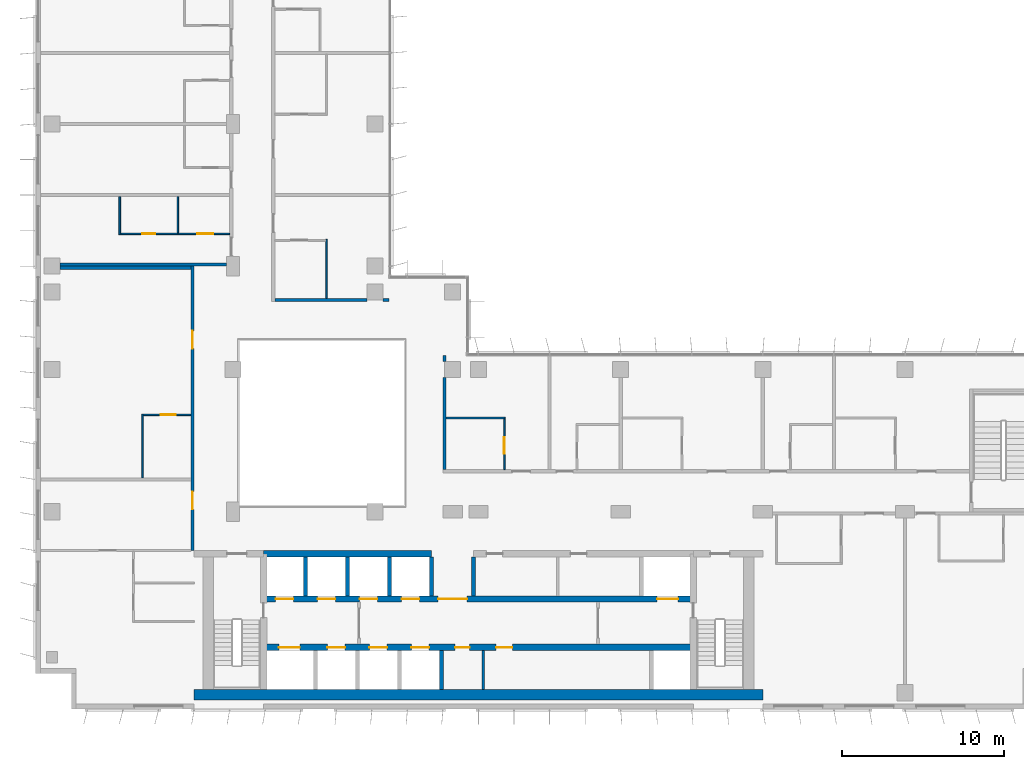
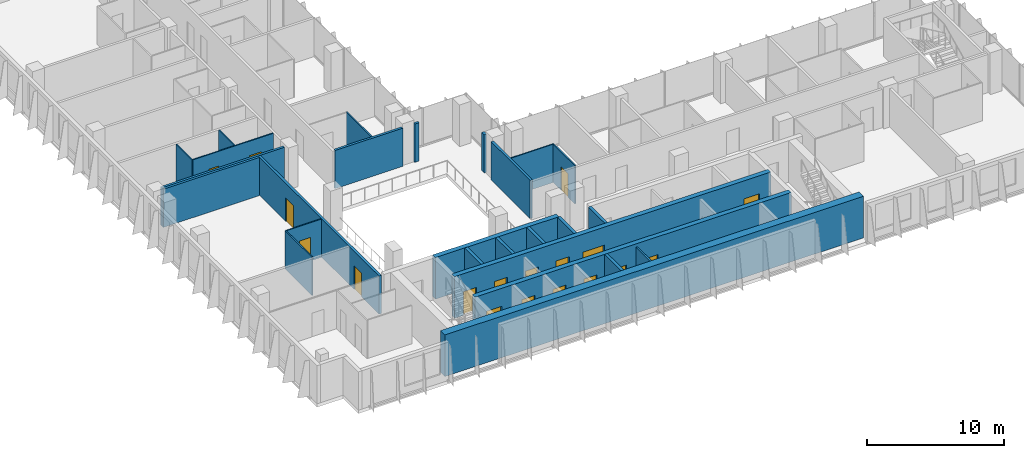
# One storey, part 13 of 21: 26 walls, 18 doors, 18 openings.
"""IFC4 building model written with IfcOpenShell, lengths in metres."""

from ifc_helpers import new_model, si_unit, direction, frame, frame_2d, origin, place, context, subcontext, project, spatial, rectangle, extrude, material, layer, layer_set, type_object, element, fill, save


model = new_model("IFC4")

# Units and contexts
model_context = context("Model", 3, precision=1e-05, world=origin(), true_north=direction((0.0, 1.0)))
body_context = subcontext(model_context, "Body", "Model", "MODEL_VIEW")
ifc_project = project(units=[si_unit("LENGTHUNIT", "METRE"), si_unit("AREAUNIT", "SQUARE_METRE"), si_unit("VOLUMEUNIT", "CUBIC_METRE"), si_unit("PLANEANGLEUNIT", "RADIAN"), si_unit("MASSUNIT", "GRAM", prefix="KILO")], contexts=[model_context])

# Site, building, storey
site_placement = place(None, origin())
site = spatial("IfcSite", under=ifc_project, at=site_placement, CompositionType="ELEMENT")
building_placement = place(site_placement, origin())
building = spatial("IfcBuilding", under=site, at=building_placement, Name="Kemantara Hotel Tower", CompositionType="ELEMENT")
storey_placement = place(building_placement, frame((0.0, 0.0, 160.5)))
storey = spatial("IfcBuildingStorey", under=building, at=storey_placement, Name="L39", CompositionType="ELEMENT", Elevation=160.5)

# Walls
ifc_material_1 = material(Name="Concrete fc 60 MPa", Category="concrete")
ifc_layer_1 = layer(ifc_material_1, 0.25)
ifc_layer_set_1 = layer_set([ifc_layer_1], Name="Concrete fc 60 MPa")
wall_type_1 = type_object("IfcWallType", Name="CORE WALL 250 FC60", PredefinedType="SHEAR", material=ifc_layer_set_1)
wall_1_placement = place(storey_placement, frame((25.10009765625, 1.199951171875, 0.0), z_axis=(0.0, 0.0, 1.0), x_axis=(0.0, 1.0, 0.0)))
element("IfcWall", 1, at=wall_1_placement, inside=storey, type_object=wall_type_1, Name="CORE WALL CW-DS25.1", PredefinedType="SHEAR", context=body_context, shape_type="SweptSolid", body=[
    extrude(rectangle(XDim=2.400146484375, YDim=0.25, at=frame_2d((1.2001953125, 0.0))), origin(), (0.0, 0.0, 1.0), 3.699951171875),
])
for number, where, z_axis, x_axis, name in (
    (2, (16.699951171875, 7.0, 0.0), (0.0, 0.0, 1.0), (0.0, 1.0, 0.0), "CORE WALL CW-DN16.7"),
    (3, (19.300048828125, 7.0, 0.0), (0.0, 0.0, 1.0), (0.0, 1.0, 0.0), "CORE WALL CW-DN19.3"),
    (4, (21.89990234375, 7.0, 0.0), (0.0, 0.0, 1.0), (0.0, 1.0, 0.0), "CORE WALL CW-DN21.9"),
    (5, (24.5, 7.0, 0.0), (0.0, 0.0, 1.0), (0.0, 1.0, 0.0), "CORE WALL CW-DN24.5"),
    (6, (27.10009765625, 7.0, 0.0), (0.0, 0.0, 1.0), (0.0, 1.0, 0.0), "CORE WALL CW-DN27.1"),
):
    element("IfcWall", number, at=place(storey_placement, frame(where, z_axis=z_axis, x_axis=x_axis)), inside=storey, type_object=wall_type_1, Name=name, PredefinedType="SHEAR", context=body_context, shape_type="SweptSolid", body=[
        extrude(rectangle(XDim=2.39990234375, YDim=0.25, at=frame_2d((1.199951171875, 0.0))), origin(), (0.0, 0.0, 1.0), 3.699951171875),
    ])
ifc_layer_2 = layer(ifc_material_1, 0.39990234375)
ifc_layer_set_2 = layer_set([ifc_layer_2], Name="Concrete fc 60 MPa")
wall_type_2 = type_object("IfcWallType", Name="CORE WALL 400 FC60", PredefinedType="SHEAR", material=ifc_layer_set_2)
wall_2_placement = place(storey_placement, frame((14.10009765625, 9.60009765625, 0.0), z_axis=(0.0, 0.0, 1.0), x_axis=(1.0, 0.0, 0.0)))
element("IfcWall", 7, at=wall_2_placement, inside=storey, type_object=wall_type_2, Name="CORE WALL CW-NN1", PredefinedType="SHEAR", context=body_context, shape_type="SweptSolid", body=[
    extrude(rectangle(XDim=10.39990234375, YDim=0.39990234375, at=frame_2d((5.199951171875, 0.0))), origin(), (0.0, 0.0, 1.0), 3.699951171875),
])

# Wall, openings, doors
wall_3_placement = place(storey_placement, frame((14.10009765625, 3.800048828125, 0.0), z_axis=(0.0, 0.0, 1.0), x_axis=(1.0, 0.0, 0.0)))
wall_3 = element("IfcWall", 8, at=wall_3_placement, inside=storey, type_object=wall_type_2, Name="CORE WALL CW-L1", PredefinedType="SHEAR", context=body_context, shape_type="SweptSolid", body=[
    extrude(rectangle(XDim=26.599853515625, YDim=0.39990234375, at=frame_2d((13.2998046875, 0.0))), origin(), (0.0, 0.0, 1.0), 3.699951171875),
])
opening_1_placement = place(wall_3_placement, frame((0.949951171875, 0.0, 0.0)))
opening_1 = element("IfcOpeningElement", 9, at=opening_1_placement, cuts=wall_3, Name="Opening C25-LD-FF1", PredefinedType="OPENING", context=body_context, shape_type="SweptSolid", body=[
    extrude(rectangle(XDim=1.300048828125, YDim=2.10009765625, at=frame_2d((0.64990234375, 1.050048828125))), frame((0.0, 0.2099609375, 0.0), z_axis=(0.0, -1.0, 0.0), x_axis=(1.0, 0.0, 0.0)), (0.0, 0.0, 1.0), 0.419921875),
])
opening_2_placement = place(wall_3_placement, frame((3.949951171875, 0.0, 0.0)))
opening_2 = element("IfcOpeningElement", 10, at=opening_2_placement, cuts=wall_3, Name="Opening C25-LD-SV1", PredefinedType="OPENING", context=body_context, shape_type="SweptSolid", body=[
    extrude(rectangle(XDim=1.10009765625, YDim=2.10009765625, at=frame_2d((0.550048828125, 1.050048828125))), frame((0.0, 0.2099609375, 0.0), z_axis=(0.0, -1.0, 0.0), x_axis=(1.0, 0.0, 0.0)), (0.0, 0.0, 1.0), 0.419921875),
])
opening_3_placement = place(wall_3_placement, frame((6.550048828125, 0.0, 0.0)))
opening_3 = element("IfcOpeningElement", 11, at=opening_3_placement, cuts=wall_3, Name="Opening C25-LD-SV2", PredefinedType="OPENING", context=body_context, shape_type="SweptSolid", body=[
    extrude(rectangle(XDim=1.10009765625, YDim=2.10009765625, at=frame_2d((0.550048828125, 1.050048828125))), frame((0.0, 0.2099609375, 0.0), z_axis=(0.0, -1.0, 0.0), x_axis=(1.0, 0.0, 0.0)), (0.0, 0.0, 1.0), 0.419921875),
])
opening_4_placement = place(wall_3_placement, frame((9.14990234375, 0.0, 0.0)))
opening_4 = element("IfcOpeningElement", 12, at=opening_4_placement, cuts=wall_3, Name="Opening C25-LD-SV3", PredefinedType="OPENING", context=body_context, shape_type="SweptSolid", body=[
    extrude(rectangle(XDim=1.10009765625, YDim=2.10009765625, at=frame_2d((0.550048828125, 1.050048828125))), frame((0.0, 0.2099609375, 0.0), z_axis=(0.0, -1.0, 0.0), x_axis=(1.0, 0.0, 0.0)), (0.0, 0.0, 1.0), 0.419921875),
])
opening_5_placement = place(wall_3_placement, frame((11.85009765625, 0.0, 0.0)))
opening_5 = element("IfcOpeningElement", 13, at=opening_5_placement, cuts=wall_3, Name="Opening C25-R-SM1", PredefinedType="OPENING", context=body_context, shape_type="SweptSolid", body=[
    extrude(rectangle(XDim=0.89990234375, YDim=2.10009765625, at=frame_2d((0.449951171875, 1.050048828125))), frame((0.0, 0.2099609375, 0.0), z_axis=(0.0, -1.0, 0.0), x_axis=(1.0, 0.0, 0.0)), (0.0, 0.0, 1.0), 0.419921875),
])
opening_6_placement = place(wall_3_placement, frame((14.39990234375, 0.0, 0.0)))
opening_6 = element("IfcOpeningElement", 14, at=opening_6_placement, cuts=wall_3, Name="Opening C25-R-SM2", PredefinedType="OPENING", context=body_context, shape_type="SweptSolid", body=[
    extrude(rectangle(XDim=1.0, YDim=2.10009765625, at=frame_2d((0.5, 1.050048828125))), frame((0.0, 0.2099609375, 0.0), z_axis=(0.0, -1.0, 0.0), x_axis=(1.0, 0.0, 0.0)), (0.0, 0.0, 1.0), 0.419921875),
])
ifc_material_2 = material(Name="Steel fire door", Category="steel")
door_type_1 = type_object("IfcDoorType", Name="Fire door FD30S 1000 x 2100", OperationType="NOTDEFINED", PredefinedType="DOOR", material=ifc_material_2)
door_1_placement = place(opening_6_placement, frame((1.0, 0.0, 0.0), z_axis=(0.0, 0.0, 1.0), x_axis=(-1.0, 0.0, 0.0)))
door_1 = element("IfcDoor", 15, at=door_1_placement, inside=storey, type_object=door_type_1, Name="Guest Pantry door", OperationType="SINGLE_SWING_LEFT", OverallHeight=2.10009765625, OverallWidth=1.0, PredefinedType="DOOR", context=body_context, shape_type="SweptSolid", body=[
    extrude(rectangle(XDim=1.0, YDim=2.10009765625, at=frame_2d((0.5, 1.050048828125))), frame((0.0, 0.02490234375, 0.0), z_axis=(0.0, -1.0, 0.0), x_axis=(1.0, 0.0, 0.0)), (0.0, 0.0, 1.0), 0.050048828125),
])
fill(opening_6, door_1)
door_type_2 = type_object("IfcDoorType", Name="Fire door FD60 900 x 2100", OperationType="NOTDEFINED", PredefinedType="DOOR", material=ifc_material_2)
door_2_placement = place(opening_5_placement, frame((0.89990234375, 0.0, 0.0), z_axis=(0.0, 0.0, 1.0), x_axis=(-1.0, 0.0, 0.0)))
door_2 = element("IfcDoor", 16, at=door_2_placement, inside=storey, type_object=door_type_2, Name="Electrical Riser Room door", OperationType="SINGLE_SWING_RIGHT", OverallHeight=2.10009765625, OverallWidth=0.89990234375, PredefinedType="DOOR", context=body_context, shape_type="SweptSolid", body=[
    extrude(rectangle(XDim=0.89990234375, YDim=2.10009765625, at=frame_2d((0.449951171875, 1.050048828125))), frame((0.0, 0.02490234375, 0.0), z_axis=(0.0, -1.0, 0.0), x_axis=(1.0, 0.0, 0.0)), (0.0, 0.0, 1.0), 0.050048828125),
])
fill(opening_5, door_2)
ifc_material_3 = material(Name="Stainless steel lift door", Category="steel")
door_type_3 = type_object("IfcDoorType", Name="Lift landing door 1100 x 2100 FD60", OperationType="DOUBLE_DOOR_SLIDING", PredefinedType="DOOR", material=ifc_material_3)
door_3_placement = place(opening_2_placement, origin())
door_3 = element("IfcDoor", 17, at=door_3_placement, inside=storey, type_object=door_type_3, Name="Lift SV1 landing door", OperationType="DOUBLE_DOOR_SLIDING", OverallHeight=2.10009765625, OverallWidth=1.10009765625, PredefinedType="DOOR", context=body_context, shape_type="SweptSolid", body=[
    extrude(rectangle(XDim=1.10009765625, YDim=2.10009765625, at=frame_2d((0.550048828125, 1.050048828125))), frame((0.0, 0.02490234375, 0.0), z_axis=(0.0, -1.0, 0.0), x_axis=(1.0, 0.0, 0.0)), (0.0, 0.0, 1.0), 0.050048828125),
])
fill(opening_2, door_3)
door_4_placement = place(opening_3_placement, origin())
door_4 = element("IfcDoor", 18, at=door_4_placement, inside=storey, type_object=door_type_3, Name="Lift SV2 landing door", OperationType="DOUBLE_DOOR_SLIDING", OverallHeight=2.10009765625, OverallWidth=1.10009765625, PredefinedType="DOOR", context=body_context, shape_type="SweptSolid", body=[
    extrude(rectangle(XDim=1.10009765625, YDim=2.10009765625, at=frame_2d((0.550048828125, 1.050048828125))), frame((0.0, 0.02490234375, 0.0), z_axis=(0.0, -1.0, 0.0), x_axis=(1.0, 0.0, 0.0)), (0.0, 0.0, 1.0), 0.050048828125),
])
fill(opening_3, door_4)
door_5_placement = place(opening_4_placement, origin())
door_5 = element("IfcDoor", 19, at=door_5_placement, inside=storey, type_object=door_type_3, Name="Lift SV3 landing door", OperationType="DOUBLE_DOOR_SLIDING", OverallHeight=2.10009765625, OverallWidth=1.10009765625, PredefinedType="DOOR", context=body_context, shape_type="SweptSolid", body=[
    extrude(rectangle(XDim=1.10009765625, YDim=2.10009765625, at=frame_2d((0.550048828125, 1.050048828125))), frame((0.0, 0.02490234375, 0.0), z_axis=(0.0, -1.0, 0.0), x_axis=(1.0, 0.0, 0.0)), (0.0, 0.0, 1.0), 0.050048828125),
])
fill(opening_4, door_5)
door_type_4 = type_object("IfcDoorType", Name="Lift landing door 1300 x 2100 FD90", OperationType="DOUBLE_DOOR_SLIDING", PredefinedType="DOOR", material=ifc_material_3)
door_6_placement = place(opening_1_placement, origin())
door_6 = element("IfcDoor", 20, at=door_6_placement, inside=storey, type_object=door_type_4, Name="Lift FF1 landing door", OperationType="DOUBLE_DOOR_SLIDING", OverallHeight=2.10009765625, OverallWidth=1.300048828125, PredefinedType="DOOR", context=body_context, shape_type="SweptSolid", body=[
    extrude(rectangle(XDim=1.300048828125, YDim=2.10009765625, at=frame_2d((0.64990234375, 1.050048828125))), frame((0.0, 0.02490234375, 0.0), z_axis=(0.0, -1.0, 0.0), x_axis=(1.0, 0.0, 0.0)), (0.0, 0.0, 1.0), 0.050048828125),
])
fill(opening_1, door_6)

wall_4_placement = place(storey_placement, frame((14.10009765625, 6.800048828125, 0.0), z_axis=(0.0, 0.0, 1.0), x_axis=(1.0, 0.0, 0.0)))
wall_4 = element("IfcWall", 21, at=wall_4_placement, inside=storey, type_object=wall_type_2, Name="CORE WALL CW-L2", PredefinedType="SHEAR", context=body_context, shape_type="SweptSolid", body=[
    extrude(rectangle(XDim=26.599853515625, YDim=0.39990234375, at=frame_2d((13.2998046875, 0.0))), origin(), (0.0, 0.0, 1.0), 3.699951171875),
])
opening_7_placement = place(wall_4_placement, frame((10.800048828125, 0.0, 0.0)))
opening_7 = element("IfcOpeningElement", 22, at=opening_7_placement, cuts=wall_4, Name="Opening C25-VL", PredefinedType="OPENING", context=body_context, shape_type="SweptSolid", body=[
    extrude(rectangle(XDim=1.800048828125, YDim=2.10009765625, at=frame_2d((0.89990234375, 1.050048828125))), frame((0.0, 0.2099609375, 0.0), z_axis=(0.0, -1.0, 0.0), x_axis=(1.0, 0.0, 0.0)), (0.0, 0.0, 1.0), 0.419921875),
])
opening_8_placement = place(wall_4_placement, frame((0.75, 0.0, 0.0)))
opening_8 = element("IfcOpeningElement", 23, at=opening_8_placement, cuts=wall_4, Name="Opening C25-LD-MR1", PredefinedType="OPENING", context=body_context, shape_type="SweptSolid", body=[
    extrude(rectangle(XDim=1.10009765625, YDim=2.10009765625, at=frame_2d((0.550048828125, 1.050048828125))), frame((0.0, 0.2099609375, 0.0), z_axis=(0.0, -1.0, 0.0), x_axis=(1.0, 0.0, 0.0)), (0.0, 0.0, 1.0), 0.419921875),
])
opening_9_placement = place(wall_4_placement, frame((3.35009765625, 0.0, 0.0)))
opening_9 = element("IfcOpeningElement", 24, at=opening_9_placement, cuts=wall_4, Name="Opening C25-LD-MR2", PredefinedType="OPENING", context=body_context, shape_type="SweptSolid", body=[
    extrude(rectangle(XDim=1.10009765625, YDim=2.10009765625, at=frame_2d((0.550048828125, 1.050048828125))), frame((0.0, 0.2099609375, 0.0), z_axis=(0.0, -1.0, 0.0), x_axis=(1.0, 0.0, 0.0)), (0.0, 0.0, 1.0), 0.419921875),
])
opening_10_placement = place(wall_4_placement, frame((5.949951171875, 0.0, 0.0)))
opening_10 = element("IfcOpeningElement", 25, at=opening_10_placement, cuts=wall_4, Name="Opening C25-LD-MR3", PredefinedType="OPENING", context=body_context, shape_type="SweptSolid", body=[
    extrude(rectangle(XDim=1.10009765625, YDim=2.10009765625, at=frame_2d((0.550048828125, 1.050048828125))), frame((0.0, 0.2099609375, 0.0), z_axis=(0.0, -1.0, 0.0), x_axis=(1.0, 0.0, 0.0)), (0.0, 0.0, 1.0), 0.419921875),
])
opening_11_placement = place(wall_4_placement, frame((8.550048828125, 0.0, 0.0)))
opening_11 = element("IfcOpeningElement", 26, at=opening_11_placement, cuts=wall_4, Name="Opening C25-LD-MR4", PredefinedType="OPENING", context=body_context, shape_type="SweptSolid", body=[
    extrude(rectangle(XDim=1.10009765625, YDim=2.10009765625, at=frame_2d((0.550048828125, 1.050048828125))), frame((0.0, 0.2099609375, 0.0), z_axis=(0.0, -1.0, 0.0), x_axis=(1.0, 0.0, 0.0)), (0.0, 0.0, 1.0), 0.419921875),
])
opening_12_placement = place(wall_4_placement, frame((24.35009765625, 0.0, 0.0)))
opening_12 = element("IfcOpeningElement", 27, at=opening_12_placement, cuts=wall_4, Name="Opening C25-LD-FF2", PredefinedType="OPENING", context=body_context, shape_type="SweptSolid", body=[
    extrude(rectangle(XDim=1.300048828125, YDim=2.10009765625, at=frame_2d((0.64990234375, 1.050048828125))), frame((0.0, 0.2099609375, 0.0), z_axis=(0.0, -1.0, 0.0), x_axis=(1.0, 0.0, 0.0)), (0.0, 0.0, 1.0), 0.419921875),
])
door_type_5 = type_object("IfcDoorType", Name="Fire door pair FD60 1800 x 2100", OperationType="DOUBLE_DOOR_SINGLE_SWING", PredefinedType="DOOR", material=ifc_material_2)
door_7_placement = place(opening_7_placement, frame((1.800048828125, 0.0, 0.0), z_axis=(0.0, 0.0, 1.0), x_axis=(-1.0, 0.0, 0.0)))
door_7 = element("IfcDoor", 28, at=door_7_placement, inside=storey, type_object=door_type_5, Name="Lift lobby entry door", OperationType="DOUBLE_DOOR_SINGLE_SWING", OverallHeight=2.10009765625, OverallWidth=1.800048828125, PredefinedType="DOOR", context=body_context, shape_type="SweptSolid", body=[
    extrude(rectangle(XDim=1.800048828125, YDim=2.10009765625, at=frame_2d((0.89990234375, 1.050048828125))), frame((0.0, 0.02490234375, 0.0), z_axis=(0.0, -1.0, 0.0), x_axis=(1.0, 0.0, 0.0)), (0.0, 0.0, 1.0), 0.050048828125),
])
fill(opening_7, door_7)
door_8_placement = place(opening_8_placement, origin())
door_8 = element("IfcDoor", 29, at=door_8_placement, inside=storey, type_object=door_type_3, Name="Lift MR1 landing door", OperationType="DOUBLE_DOOR_SLIDING", OverallHeight=2.10009765625, OverallWidth=1.10009765625, PredefinedType="DOOR", context=body_context, shape_type="SweptSolid", body=[
    extrude(rectangle(XDim=1.10009765625, YDim=2.10009765625, at=frame_2d((0.550048828125, 1.050048828125))), frame((0.0, 0.02490234375, 0.0), z_axis=(0.0, -1.0, 0.0), x_axis=(1.0, 0.0, 0.0)), (0.0, 0.0, 1.0), 0.050048828125),
])
fill(opening_8, door_8)
door_9_placement = place(opening_9_placement, origin())
door_9 = element("IfcDoor", 30, at=door_9_placement, inside=storey, type_object=door_type_3, Name="Lift MR2 landing door", OperationType="DOUBLE_DOOR_SLIDING", OverallHeight=2.10009765625, OverallWidth=1.10009765625, PredefinedType="DOOR", context=body_context, shape_type="SweptSolid", body=[
    extrude(rectangle(XDim=1.10009765625, YDim=2.10009765625, at=frame_2d((0.550048828125, 1.050048828125))), frame((0.0, 0.02490234375, 0.0), z_axis=(0.0, -1.0, 0.0), x_axis=(1.0, 0.0, 0.0)), (0.0, 0.0, 1.0), 0.050048828125),
])
fill(opening_9, door_9)
door_10_placement = place(opening_10_placement, origin())
door_10 = element("IfcDoor", 31, at=door_10_placement, inside=storey, type_object=door_type_3, Name="Lift MR3 landing door", OperationType="DOUBLE_DOOR_SLIDING", OverallHeight=2.10009765625, OverallWidth=1.10009765625, PredefinedType="DOOR", context=body_context, shape_type="SweptSolid", body=[
    extrude(rectangle(XDim=1.10009765625, YDim=2.10009765625, at=frame_2d((0.550048828125, 1.050048828125))), frame((0.0, 0.02490234375, 0.0), z_axis=(0.0, -1.0, 0.0), x_axis=(1.0, 0.0, 0.0)), (0.0, 0.0, 1.0), 0.050048828125),
])
fill(opening_10, door_10)
door_11_placement = place(opening_11_placement, origin())
door_11 = element("IfcDoor", 32, at=door_11_placement, inside=storey, type_object=door_type_3, Name="Lift MR4 landing door", OperationType="DOUBLE_DOOR_SLIDING", OverallHeight=2.10009765625, OverallWidth=1.10009765625, PredefinedType="DOOR", context=body_context, shape_type="SweptSolid", body=[
    extrude(rectangle(XDim=1.10009765625, YDim=2.10009765625, at=frame_2d((0.550048828125, 1.050048828125))), frame((0.0, 0.02490234375, 0.0), z_axis=(0.0, -1.0, 0.0), x_axis=(1.0, 0.0, 0.0)), (0.0, 0.0, 1.0), 0.050048828125),
])
fill(opening_11, door_11)
door_12_placement = place(opening_12_placement, origin())
door_12 = element("IfcDoor", 33, at=door_12_placement, inside=storey, type_object=door_type_4, Name="Lift FF2 landing door", OperationType="DOUBLE_DOOR_SLIDING", OverallHeight=2.10009765625, OverallWidth=1.300048828125, PredefinedType="DOOR", context=body_context, shape_type="SweptSolid", body=[
    extrude(rectangle(XDim=1.300048828125, YDim=2.10009765625, at=frame_2d((0.64990234375, 1.050048828125))), frame((0.0, 0.02490234375, 0.0), z_axis=(0.0, -1.0, 0.0), x_axis=(1.0, 0.0, 0.0)), (0.0, 0.0, 1.0), 0.050048828125),
])
fill(opening_12, door_12)

# Wall
ifc_layer_3 = layer(ifc_material_1, 0.64990234375)
ifc_layer_set_3 = layer_set([ifc_layer_3], Name="Concrete fc 60 MPa")
wall_type_3 = type_object("IfcWallType", Name="CORE WALL 650 FC60", PredefinedType="SHEAR", material=ifc_layer_set_3)
wall_5_placement = place(storey_placement, frame((9.800048828125, 0.875, 0.0), z_axis=(0.0, 0.0, 1.0), x_axis=(1.0, 0.0, 0.0)))
element("IfcWall", 34, at=wall_5_placement, inside=storey, type_object=wall_type_3, Name="CORE WALL CW-S", PredefinedType="SHEAR", context=body_context, shape_type="SweptSolid", body=[
    extrude(rectangle(XDim=35.199951171875, YDim=0.64990234375, at=frame_2d((17.60009765625, 0.0))), origin(), (0.0, 0.0, 1.0), 3.699951171875),
])

# Wall, openings, doors
ifc_material_4 = material(Name="Gypsum board partition, steel studs and mineral wool, 200 mm", Category="steel")
ifc_layer_4 = layer(ifc_material_4, 0.199951171875)
ifc_layer_set_4 = layer_set([ifc_layer_4], Name="Gypsum board partition, steel studs and mineral wool, 200 mm")
wall_type_4 = type_object("IfcWallType", Name="CORRIDOR WALL 200", PredefinedType="PARTITIONING", material=ifc_layer_set_4)
wall_6_placement = place(storey_placement, frame((9.699951171875, 9.800048828125, 0.0), z_axis=(0.0, 0.0, 1.0), x_axis=(0.0, 1.0, 0.0)))
wall_6 = element("IfcWall", 35, at=wall_6_placement, inside=storey, type_object=wall_type_4, Name="CORRIDOR WALL 200 012", PredefinedType="PARTITIONING", context=body_context, shape_type="SweptSolid", body=[
    extrude(rectangle(XDim=17.599853515625, YDim=0.199951171875, at=frame_2d((8.7998046875, 0.0))), origin(), (0.0, 0.0, 1.0), 3.39990234375),
])
opening_13_placement = place(wall_6_placement, frame((2.550048828125, 0.0, 0.0)))
opening_13 = element("IfcOpeningElement", 36, at=opening_13_placement, cuts=wall_6, Name="Opening F18-015", PredefinedType="OPENING", context=body_context, shape_type="SweptSolid", body=[
    extrude(rectangle(XDim=1.10009765625, YDim=2.10009765625, at=frame_2d((0.550048828125, 1.050048828125))), frame((0.0, 0.10986328125, 0.0), z_axis=(0.0, -1.0, 0.0), x_axis=(1.0, 0.0, 0.0)), (0.0, 0.0, 1.0), 0.219970703125),
])
opening_14_placement = place(wall_6_placement, frame((12.5, 0.0, 0.0)))
opening_14 = element("IfcOpeningElement", 37, at=opening_14_placement, cuts=wall_6, Name="Opening F18-019", PredefinedType="OPENING", context=body_context, shape_type="SweptSolid", body=[
    extrude(rectangle(XDim=1.10009765625, YDim=2.10009765625, at=frame_2d((0.550048828125, 1.050048828125))), frame((0.0, 0.10986328125, 0.0), z_axis=(0.0, -1.0, 0.0), x_axis=(1.0, 0.0, 0.0)), (0.0, 0.0, 1.0), 0.219970703125),
])
ifc_material_5 = material(Name="Hardwood veneer door leaf with steel frame", Category="steel")
door_type_6 = type_object("IfcDoorType", Name="SUITE ENTRANCE DOOR 1100 X 2100 FD30S", OperationType="NOTDEFINED", PredefinedType="DOOR", material=ifc_material_5)
door_13_placement = place(opening_13_placement, origin())
door_13 = element("IfcDoor", 38, at=door_13_placement, inside=storey, type_object=door_type_6, Name="SUITE ENTRANCE DOOR F18-015", OperationType="SINGLE_SWING_RIGHT", OverallHeight=2.10009765625, OverallWidth=1.10009765625, PredefinedType="DOOR", context=body_context, shape_type="SweptSolid", body=[
    extrude(rectangle(XDim=1.10009765625, YDim=2.10009765625, at=frame_2d((0.550048828125, 1.050048828125))), frame((0.0, 0.02490234375, 0.0), z_axis=(0.0, -1.0, 0.0), x_axis=(1.0, 0.0, 0.0)), (0.0, 0.0, 1.0), 0.050048828125),
])
fill(opening_13, door_13)
door_14_placement = place(opening_14_placement, origin())
door_14 = element("IfcDoor", 39, at=door_14_placement, inside=storey, type_object=door_type_6, Name="SUITE ENTRANCE DOOR F18-019", OperationType="SINGLE_SWING_RIGHT", OverallHeight=2.10009765625, OverallWidth=1.10009765625, PredefinedType="DOOR", context=body_context, shape_type="SweptSolid", body=[
    extrude(rectangle(XDim=1.10009765625, YDim=2.10009765625, at=frame_2d((0.550048828125, 1.050048828125))), frame((0.0, 0.02490234375, 0.0), z_axis=(0.0, -1.0, 0.0), x_axis=(1.0, 0.0, 0.0)), (0.0, 0.0, 1.0), 0.050048828125),
])
fill(opening_14, door_14)

# Walls
ifc_layer_5 = layer(ifc_material_4, 0.199951171875)
ifc_layer_set_5 = layer_set([ifc_layer_5], Name="Gypsum board partition, steel studs and mineral wool, 200 mm")
wall_type_5 = type_object("IfcWallType", Name="GUEST ROOM PARTY WALL 200", PredefinedType="PARTITIONING", material=ifc_layer_set_5)
wall_7_placement = place(storey_placement, frame((25.300048828125, 14.800048828125, 0.0), z_axis=(0.0, 0.0, 1.0), x_axis=(0.0, 1.0, 0.0)))
element("IfcWall", 40, at=wall_7_placement, inside=storey, type_object=wall_type_5, Name="GUEST ROOM PARTY WALL 200 006", PredefinedType="PARTITIONING", context=body_context, shape_type="SweptSolid", body=[
    extrude(rectangle(XDim=5.699951171875, YDim=0.199951171875, at=frame_2d((2.85009765625, 0.0))), origin(), (0.0, 0.0, 1.0), 3.39990234375),
])
wall_8_placement = place(storey_placement, frame((25.300048828125, 21.5, 0.0), z_axis=(0.0, 0.0, 1.0), x_axis=(0.0, 1.0, 0.0)))
element("IfcWall", 41, at=wall_8_placement, inside=storey, type_object=wall_type_5, Name="GUEST ROOM PARTY WALL 200 007", PredefinedType="PARTITIONING", context=body_context, shape_type="SweptSolid", body=[
    extrude(rectangle(XDim=0.3701171875, YDim=0.199951171875, at=frame_2d((0.18505859375, 0.0))), origin(), (0.0, 0.0, 1.0), 3.39990234375),
])
wall_9_placement = place(storey_placement, frame((1.5, 27.300048828125, 0.0), z_axis=(0.0, 0.0, 1.0), x_axis=(1.0, 0.0, 0.0)))
element("IfcWall", 42, at=wall_9_placement, inside=storey, type_object=wall_type_5, Name="GUEST ROOM PARTY WALL 200 014", PredefinedType="PARTITIONING", context=body_context, shape_type="SweptSolid", body=[
    extrude(rectangle(XDim=8.10009765625, YDim=0.199951171875, at=frame_2d((4.050048828125, 0.0))), origin(), (0.0, 0.0, 1.0), 3.39990234375),
])
wall_10_placement = place(storey_placement, frame((1.5, 27.5, 0.0), z_axis=(0.0, 0.0, 1.0), x_axis=(1.0, 0.0, 0.0)))
element("IfcWall", 43, at=wall_10_placement, inside=storey, type_object=wall_type_5, Name="GUEST ROOM PARTY WALL 200 019", PredefinedType="PARTITIONING", context=body_context, shape_type="SweptSolid", body=[
    extrude(rectangle(XDim=10.2998046875, YDim=0.199951171875, at=frame_2d((5.14990234375, 0.0))), origin(), (0.0, 0.0, 1.0), 3.39990234375),
])
wall_11_placement = place(storey_placement, frame((14.800048828125, 25.300048828125, 0.0), z_axis=(0.0, 0.0, 1.0), x_axis=(1.0, 0.0, 0.0)))
element("IfcWall", 44, at=wall_11_placement, inside=storey, type_object=wall_type_5, Name="GUEST ROOM PARTY WALL 200 028", PredefinedType="PARTITIONING", context=body_context, shape_type="SweptSolid", body=[
    extrude(rectangle(XDim=5.699951171875, YDim=0.199951171875, at=frame_2d((2.85009765625, 0.0))), origin(), (0.0, 0.0, 1.0), 3.39990234375),
])
wall_12_placement = place(storey_placement, frame((21.5, 25.300048828125, 0.0), z_axis=(0.0, 0.0, 1.0), x_axis=(1.0, 0.0, 0.0)))
element("IfcWall", 45, at=wall_12_placement, inside=storey, type_object=wall_type_5, Name="GUEST ROOM PARTY WALL 200 029", PredefinedType="PARTITIONING", context=body_context, shape_type="SweptSolid", body=[
    extrude(rectangle(XDim=0.3701171875, YDim=0.199951171875, at=frame_2d((0.18505859375, 0.0))), origin(), (0.0, 0.0, 1.0), 3.39990234375),
])
ifc_material_6 = material(Name="Gypsum board partition")
ifc_layer_6 = layer(ifc_material_6, 0.14990234375)
ifc_layer_set_6 = layer_set([ifc_layer_6], Name="Gypsum board partition")
wall_type_6 = type_object("IfcWallType", Name="Gypsum board partition 150 mm", PredefinedType="PARTITIONING", material=ifc_layer_set_6)
wall_13_placement = place(storey_placement, frame((27.699951171875, 1.199951171875, 0.0), z_axis=(0.0, 0.0, 1.0), x_axis=(0.0, 1.0, 0.0)))
element("IfcWall", 46, at=wall_13_placement, inside=storey, type_object=wall_type_6, Name="Core room partition", PredefinedType="PARTITIONING", context=body_context, shape_type="SweptSolid", body=[
    extrude(rectangle(XDim=2.400146484375, YDim=0.14990234375, at=frame_2d((1.2001953125, 0.0))), origin(), (0.0, 0.0, 1.0), 3.39990234375),
])
ifc_material_7 = material(Name="Gypsum board partition on steel studs, 100 mm", Category="steel")
ifc_layer_7 = layer(ifc_material_7, 0.10009765625)
ifc_layer_set_7 = layer_set([ifc_layer_7], Name="Gypsum board partition on steel studs, 100 mm")
wall_type_7 = type_object("IfcWallType", Name="ROOM PARTITION 100", PredefinedType="PARTITIONING", material=ifc_layer_set_7)
wall_14_placement = place(storey_placement, frame((25.39990234375, 18.0, 0.0), z_axis=(0.0, 0.0, 1.0), x_axis=(1.0, 0.0, 0.0)))
element("IfcWall", 47, at=wall_14_placement, inside=storey, type_object=wall_type_7, Name="ROOM PARTITION 100 038", PredefinedType="PARTITIONING", context=body_context, shape_type="SweptSolid", body=[
    extrude(rectangle(XDim=3.650146484375, YDim=0.10009765625, at=frame_2d((1.8251953125, 0.0))), origin(), (0.0, 0.0, 1.0), 3.39990234375),
])

# Wall, opening, door
wall_15_placement = place(storey_placement, frame((29.0, 14.800048828125, 0.0), z_axis=(0.0, 0.0, 1.0), x_axis=(0.0, 1.0, 0.0)))
wall_15 = element("IfcWall", 48, at=wall_15_placement, inside=storey, type_object=wall_type_7, Name="ROOM PARTITION 100 041", PredefinedType="PARTITIONING", context=body_context, shape_type="SweptSolid", body=[
    extrude(rectangle(XDim=3.14990234375, YDim=0.10009765625, at=frame_2d((1.574951171875, 0.0))), origin(), (0.0, 0.0, 1.0), 3.39990234375),
])
opening_15_placement = place(wall_15_placement, frame((1.0, 0.0, 0.0)))
opening_15 = element("IfcOpeningElement", 49, at=opening_15_placement, cuts=wall_15, Name="Opening F18-006", PredefinedType="OPENING", context=body_context, shape_type="SweptSolid", body=[
    extrude(rectangle(XDim=1.0, YDim=2.10009765625, at=frame_2d((0.5, 1.050048828125))), frame((0.0, 0.06005859375, 0.0), z_axis=(0.0, -1.0, 0.0), x_axis=(1.0, 0.0, 0.0)), (0.0, 0.0, 1.0), 0.1201171875),
])
door_type_7 = type_object("IfcDoorType", Name="BATHROOM DOOR 1000 X 2100", OperationType="NOTDEFINED", PredefinedType="DOOR", material=ifc_material_5)
door_15_placement = place(opening_15_placement, origin())
door_15 = element("IfcDoor", 50, at=door_15_placement, inside=storey, type_object=door_type_7, Name="BATHROOM DOOR F18-006", OperationType="SINGLE_SWING_LEFT", OverallHeight=2.10009765625, OverallWidth=1.0, PredefinedType="DOOR", context=body_context, shape_type="SweptSolid", body=[
    extrude(rectangle(XDim=1.0, YDim=2.10009765625, at=frame_2d((0.5, 1.050048828125))), frame((0.0, 0.02490234375, 0.0), z_axis=(0.0, -1.0, 0.0), x_axis=(1.0, 0.0, 0.0)), (0.0, 0.0, 1.0), 0.050048828125),
])
fill(opening_15, door_15)

# Wall
wall_16_placement = place(storey_placement, frame((6.60009765625, 14.300048828125, 0.0), z_axis=(0.0, 0.0, 1.0), x_axis=(0.0, 1.0, 0.0)))
element("IfcWall", 51, at=wall_16_placement, inside=storey, type_object=wall_type_7, Name="ROOM PARTITION 100 052", PredefinedType="PARTITIONING", context=body_context, shape_type="SweptSolid", body=[
    extrude(rectangle(XDim=3.949951171875, YDim=0.10009765625, at=frame_2d((1.97509765625, 0.0))), origin(), (0.0, 0.0, 1.0), 3.39990234375),
])

# Wall, opening, door
wall_17_placement = place(storey_placement, frame((9.60009765625, 18.199951171875, 0.0), z_axis=(0.0, 0.0, 1.0), x_axis=(-1.0, 0.0, 0.0)))
wall_17 = element("IfcWall", 52, at=wall_17_placement, inside=storey, type_object=wall_type_7, Name="ROOM PARTITION 100 053", PredefinedType="PARTITIONING", context=body_context, shape_type="SweptSolid", body=[
    extrude(rectangle(XDim=2.9501953125, YDim=0.10009765625, at=frame_2d((1.47509765625, 0.0))), origin(), (0.0, 0.0, 1.0), 3.39990234375),
])
opening_16_placement = place(wall_17_placement, frame((0.949951171875, 0.0, 0.0)))
opening_16 = element("IfcOpeningElement", 53, at=opening_16_placement, cuts=wall_17, Name="Opening F18-020", PredefinedType="OPENING", context=body_context, shape_type="SweptSolid", body=[
    extrude(rectangle(XDim=0.89990234375, YDim=2.10009765625, at=frame_2d((0.449951171875, 1.050048828125))), frame((0.0, 0.06005859375, 0.0), z_axis=(0.0, -1.0, 0.0), x_axis=(1.0, 0.0, 0.0)), (0.0, 0.0, 1.0), 0.1201171875),
])
door_type_8 = type_object("IfcDoorType", Name="BATHROOM DOOR 900 X 2100", OperationType="NOTDEFINED", PredefinedType="DOOR", material=ifc_material_5)
door_16_placement = place(opening_16_placement, origin())
door_16 = element("IfcDoor", 54, at=door_16_placement, inside=storey, type_object=door_type_8, Name="BATHROOM DOOR F18-020", OperationType="SINGLE_SWING_LEFT", OverallHeight=2.10009765625, OverallWidth=0.89990234375, PredefinedType="DOOR", context=body_context, shape_type="SweptSolid", body=[
    extrude(rectangle(XDim=0.89990234375, YDim=2.10009765625, at=frame_2d((0.449951171875, 1.050048828125))), frame((0.0, 0.02490234375, 0.0), z_axis=(0.0, -1.0, 0.0), x_axis=(1.0, 0.0, 0.0)), (0.0, 0.0, 1.0), 0.050048828125),
])
fill(opening_16, door_16)

# Walls
wall_18_placement = place(storey_placement, frame((5.199951171875, 29.35009765625, 0.0), z_axis=(0.0, 0.0, 1.0), x_axis=(0.0, 1.0, 0.0)))
element("IfcWall", 55, at=wall_18_placement, inside=storey, type_object=wall_type_7, Name="ROOM PARTITION 100 054", PredefinedType="PARTITIONING", context=body_context, shape_type="SweptSolid", body=[
    extrude(rectangle(XDim=2.349853515625, YDim=0.10009765625, at=frame_2d((1.1748046875, 0.0))), origin(), (0.0, 0.0, 1.0), 3.39990234375),
])
wall_19_placement = place(storey_placement, frame((8.800048828125, 29.449951171875, 0.0), z_axis=(0.0, 0.0, 1.0), x_axis=(0.0, 1.0, 0.0)))
element("IfcWall", 56, at=wall_19_placement, inside=storey, type_object=wall_type_7, Name="ROOM PARTITION 100 055", PredefinedType="PARTITIONING", context=body_context, shape_type="SweptSolid", body=[
    extrude(rectangle(XDim=2.25, YDim=0.10009765625, at=frame_2d((1.125, 0.0))), origin(), (0.0, 0.0, 1.0), 3.39990234375),
])

# Wall, openings, doors
wall_20_placement = place(storey_placement, frame((5.25, 29.39990234375, 0.0), z_axis=(0.0, 0.0, 1.0), x_axis=(1.0, 0.0, 0.0)))
wall_20 = element("IfcWall", 57, at=wall_20_placement, inside=storey, type_object=wall_type_7, Name="ROOM PARTITION 100 056", PredefinedType="PARTITIONING", context=body_context, shape_type="SweptSolid", body=[
    extrude(rectangle(XDim=6.75, YDim=0.10009765625, at=frame_2d((3.375, 0.0))), origin(), (0.0, 0.0, 1.0), 3.39990234375),
])
opening_17_placement = place(wall_20_placement, frame((4.75, 0.0, 0.0)))
opening_17 = element("IfcOpeningElement", 58, at=opening_17_placement, cuts=wall_20, Name="Opening F18-022", PredefinedType="OPENING", context=body_context, shape_type="SweptSolid", body=[
    extrude(rectangle(XDim=1.0, YDim=2.10009765625, at=frame_2d((0.5, 1.050048828125))), frame((0.0, 0.06005859375, 0.0), z_axis=(0.0, -1.0, 0.0), x_axis=(1.0, 0.0, 0.0)), (0.0, 0.0, 1.0), 0.1201171875),
])
opening_18_placement = place(wall_20_placement, frame((1.35009765625, 0.0, 0.0)))
opening_18 = element("IfcOpeningElement", 59, at=opening_18_placement, cuts=wall_20, Name="Opening F18-023", PredefinedType="OPENING", context=body_context, shape_type="SweptSolid", body=[
    extrude(rectangle(XDim=0.800048828125, YDim=2.10009765625, at=frame_2d((0.39990234375, 1.050048828125))), frame((0.0, 0.06005859375, 0.0), z_axis=(0.0, -1.0, 0.0), x_axis=(1.0, 0.0, 0.0)), (0.0, 0.0, 1.0), 0.1201171875),
])
door_17_placement = place(opening_17_placement, origin())
door_17 = element("IfcDoor", 60, at=door_17_placement, inside=storey, type_object=door_type_7, Name="BATHROOM DOOR F18-022", OperationType="SINGLE_SWING_RIGHT", OverallHeight=2.10009765625, OverallWidth=1.0, PredefinedType="DOOR", context=body_context, shape_type="SweptSolid", body=[
    extrude(rectangle(XDim=1.0, YDim=2.10009765625, at=frame_2d((0.5, 1.050048828125))), frame((0.0, 0.02490234375, 0.0), z_axis=(0.0, -1.0, 0.0), x_axis=(1.0, 0.0, 0.0)), (0.0, 0.0, 1.0), 0.050048828125),
])
fill(opening_17, door_17)
door_type_9 = type_object("IfcDoorType", Name="INTERNAL DOOR 800 X 2100", OperationType="NOTDEFINED", PredefinedType="DOOR", material=ifc_material_5)
door_18_placement = place(opening_18_placement, origin())
door_18 = element("IfcDoor", 61, at=door_18_placement, inside=storey, type_object=door_type_9, Name="INTERNAL DOOR F18-023", OperationType="SINGLE_SWING_RIGHT", OverallHeight=2.10009765625, OverallWidth=0.800048828125, PredefinedType="DOOR", context=body_context, shape_type="SweptSolid", body=[
    extrude(rectangle(XDim=0.800048828125, YDim=2.10009765625, at=frame_2d((0.39990234375, 1.050048828125))), frame((0.0, 0.02490234375, 0.0), z_axis=(0.0, -1.0, 0.0), x_axis=(1.0, 0.0, 0.0)), (0.0, 0.0, 1.0), 0.050048828125),
])
fill(opening_18, door_18)

# Wall
wall_21_placement = place(storey_placement, frame((18.0, 25.39990234375, 0.0), z_axis=(0.0, 0.0, 1.0), x_axis=(0.0, 1.0, 0.0)))
element("IfcWall", 62, at=wall_21_placement, inside=storey, type_object=wall_type_7, Name="ROOM PARTITION 100 066", PredefinedType="PARTITIONING", context=body_context, shape_type="SweptSolid", body=[
    extrude(rectangle(XDim=3.650146484375, YDim=0.10009765625, at=frame_2d((1.8251953125, 0.0))), origin(), (0.0, 0.0, 1.0), 3.39990234375),
])

save(model, "model.ifc")
